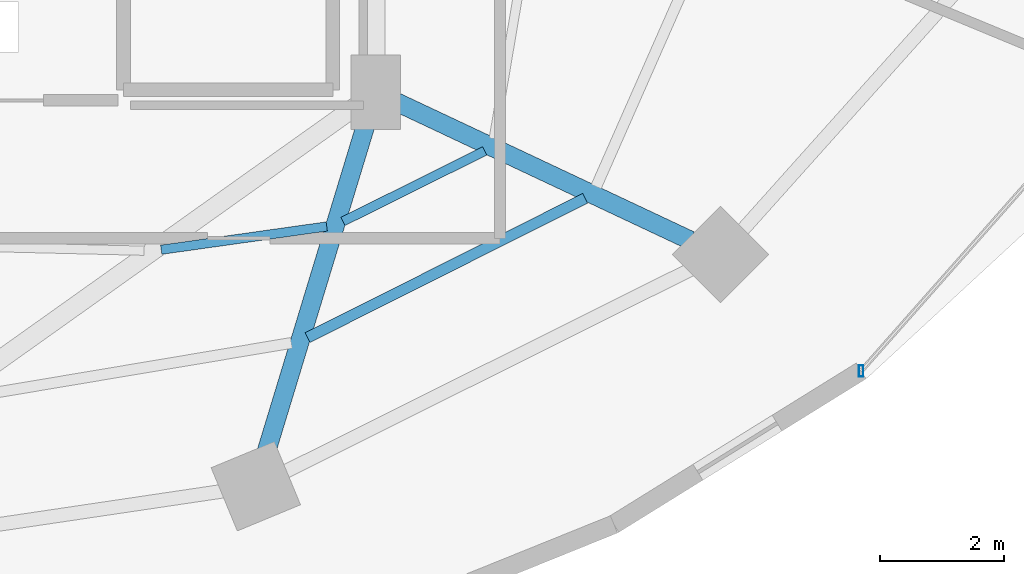
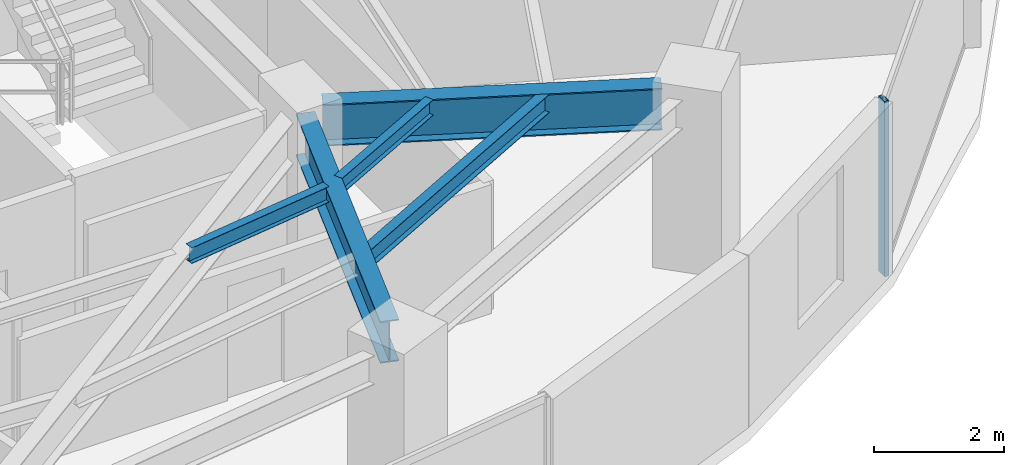
# One storey, part 12 of 29: 5 beams, 1 member, 1 element without a shape of its own.
"""IFC4 building model written with IfcOpenShell, lengths in metres."""

from ifc_helpers import new_model, si_unit, direction, frame, origin, origin_2d, place, context, subcontext, project, spatial, hollow_rectangle, i_section, extrude, material, material_profile, profile_set, type_object, element, aggregate, save


model = new_model("IFC4")

# Units and contexts
model_context = context("Model", 3, precision=1e-05, world=origin(), true_north=direction((0.0, 1.0)))
body_context = subcontext(model_context, "Body", "Model", "MODEL_VIEW")
ifc_project = project(units=[si_unit("LENGTHUNIT", "METRE"), si_unit("AREAUNIT", "SQUARE_METRE"), si_unit("VOLUMEUNIT", "CUBIC_METRE"), si_unit("PLANEANGLEUNIT", "RADIAN"), si_unit("MASSUNIT", "GRAM", prefix="KILO")], contexts=[model_context])

# Site, building, storey
site_placement = place(None, origin())
site = spatial("IfcSite", under=ifc_project, at=site_placement, CompositionType="ELEMENT")
building_placement = place(site_placement, origin())
building = spatial("IfcBuilding", under=site, at=building_placement, Name="Vorneva Point Tower", CompositionType="ELEMENT")
storey_placement = place(building_placement, frame((0.0, 0.0, 82.300048828125)))
storey = spatial("IfcBuildingStorey", under=building, at=storey_placement, Name="L21", CompositionType="ELEMENT", Elevation=82.300048828125)

# Beams
ifc_material_1 = material(Name="Steel S355", Category="steel")
ifc_material_profile_1 = material_profile(ifc_material_1, i_section(OverallWidth=0.300048828125, OverallDepth=0.7880859375, WebThickness=0.014404296875, FlangeThickness=0.02197265625, at=origin_2d()), Name="80Sh1")
ifc_profile_set_1 = profile_set([ifc_material_profile_1], Name="Steel S355")
beam_type_1 = type_object("IfcBeamType", Name="BM-GRD-80Sh1", PredefinedType="USERDEFINED", material=ifc_profile_set_1)
beam_1_placement = place(storey_placement, frame((46.9775390625, 10.6240234375, 2.845947265625), z_axis=(0.291034888253, 0.956712440506, 0.0), x_axis=(-0.956712440506, 0.291034888253, 0.0)))
element("IfcBeam", 1, at=beam_1_placement, inside=storey, type_object=beam_type_1, Name="L21 Radial Primary Girder 14", ObjectType="GIRDER", PredefinedType="USERDEFINED", context=body_context, shape_type="SweptSolid", body=[
    extrude(i_section(OverallWidth=0.300048828125, OverallDepth=0.7880859375, WebThickness=0.014404296875, FlangeThickness=0.02197265625, at=origin_2d()), origin(), (0.0, 0.0, 1.0), 5.74951171875),
])
beam_2_placement = place(storey_placement, frame((53.81201171875, 14.06689453125, 2.845947265625), z_axis=(-0.904751304927, 0.425940226126, 0.0), x_axis=(-0.425940226126, -0.904751304927, 0.0)))
element("IfcBeam", 2, at=beam_2_placement, inside=storey, type_object=beam_type_1, Name="L21 Radial Primary Girder 15", ObjectType="GIRDER", PredefinedType="USERDEFINED", context=body_context, shape_type="SweptSolid", body=[
    extrude(i_section(OverallWidth=0.300048828125, OverallDepth=0.7880859375, WebThickness=0.014404296875, FlangeThickness=0.02197265625, at=origin_2d()), origin(), (0.0, 0.0, 1.0), 5.2548828125),
])
ifc_material_profile_2 = material_profile(ifc_material_1, i_section(OverallWidth=0.14892578125, OverallDepth=0.298095703125, WebThickness=0.005615234375, FlangeThickness=0.008056640625, at=origin_2d()), Name="30B1")
ifc_profile_set_2 = profile_set([ifc_material_profile_2], Name="Steel S355")
beam_type_2 = type_object("IfcBeamType", Name="BM-JST-30B1", PredefinedType="JOIST", material=ifc_profile_set_2)
beam_3_placement = place(storey_placement, frame((45.298095703125, 13.91552734375, 3.091064453125), z_axis=(0.990250320803, 0.139299325736, 0.0), x_axis=(-0.139299325736, 0.990250320803, 0.0)))
element("IfcBeam", 3, at=beam_3_placement, inside=storey, type_object=beam_type_2, Name="L21 Secondary Floor Beam 2.13", PredefinedType="JOIST", context=body_context, shape_type="SweptSolid", body=[
    extrude(i_section(OverallWidth=0.14892578125, OverallDepth=0.298095703125, WebThickness=0.005615234375, FlangeThickness=0.008056640625, at=origin_2d()), origin(), (0.0, 0.0, 1.0), 2.690185546875),
])
beam_4_placement = place(storey_placement, frame((48.222412109375, 14.370849609375, 3.091064453125), z_axis=(0.895364579083, 0.445333886566, 0.0), x_axis=(-0.445333886566, 0.895364579083, 0.0)))
element("IfcBeam", 4, at=beam_4_placement, inside=storey, type_object=beam_type_2, Name="L21 Secondary Floor Beam 2.14", PredefinedType="JOIST", context=body_context, shape_type="SweptSolid", body=[
    extrude(i_section(OverallWidth=0.14892578125, OverallDepth=0.298095703125, WebThickness=0.005615234375, FlangeThickness=0.008056640625, at=origin_2d()), origin(), (0.0, 0.0, 1.0), 2.547119140625),
])
ifc_material_profile_3 = material_profile(ifc_material_1, i_section(OverallWidth=0.174072265625, OverallDepth=0.345947265625, WebThickness=0.006103515625, FlangeThickness=0.009033203125, at=origin_2d()), Name="35B1")
ifc_profile_set_3 = profile_set([ifc_material_profile_3], Name="Steel S355")
beam_type_3 = type_object("IfcBeamType", Name="BM-SEC-35B1", PredefinedType="BEAM", material=ifc_profile_set_3)
beam_5_placement = place(storey_placement, frame((47.653076171875, 12.501220703125, 3.06689453125), z_axis=(0.893693254795, 0.448678466537, 0.0), x_axis=(-0.448678466537, 0.893693254795, 0.0)))
element("IfcBeam", 5, at=beam_5_placement, inside=storey, type_object=beam_type_3, Name="L21 Secondary Floor Beam 1.14", PredefinedType="BEAM", context=body_context, shape_type="SweptSolid", body=[
    extrude(i_section(OverallWidth=0.174072265625, OverallDepth=0.345947265625, WebThickness=0.006103515625, FlangeThickness=0.009033203125, at=origin_2d()), origin(), (0.0, 0.0, 1.0), 4.997802734375),
])

# Curtain wall, member
ifc_material_2 = material(Name="Pale anodised aluminium", Category="aluminium")
curtain_wall_type = type_object("IfcCurtainWallType", Name="CW-HTL-SYS", PredefinedType="NOTDEFINED", material=ifc_material_2)
curtain_wall_placement = place(storey_placement, origin())
curtain_wall = element("IfcCurtainWall", 6, at=curtain_wall_placement, inside=storey, type_object=curtain_wall_type, Name="L21 Unitised Curtain Wall CW-L21-R04", PredefinedType="NOTDEFINED")
ifc_material_profile_4 = material_profile(ifc_material_2, hollow_rectangle(XDim=0.074951171875, YDim=0.179931640625, WallThickness=0.00390625, at=origin_2d()), Name="AL-MUL 180x75x4")
ifc_profile_set_4 = profile_set([ifc_material_profile_4], Name="Pale anodised aluminium")
member_type = type_object("IfcMemberType", Name="CW-MUL-180", PredefinedType="MULLION", material=ifc_profile_set_4)
member_placement = place(storey_placement, frame((56.5615234375, 11.9638671875, -0.0400390625), z_axis=(0.0, 0.0, 1.0), x_axis=(1.0, 0.0, 0.0)))
member = element("IfcMember", 7, at=member_placement, type_object=member_type, Name="CW-L21-R04 Mullion 01", PredefinedType="MULLION", context=body_context, shape_type="SweptSolid", body=[
    extrude(hollow_rectangle(XDim=0.074951171875, YDim=0.179931640625, WallThickness=0.00390625, at=origin_2d()), origin(), (0.0, 0.0, 1.0), 3.31005859375),
])
aggregate(curtain_wall, [member])

save(model, "model.ifc")
